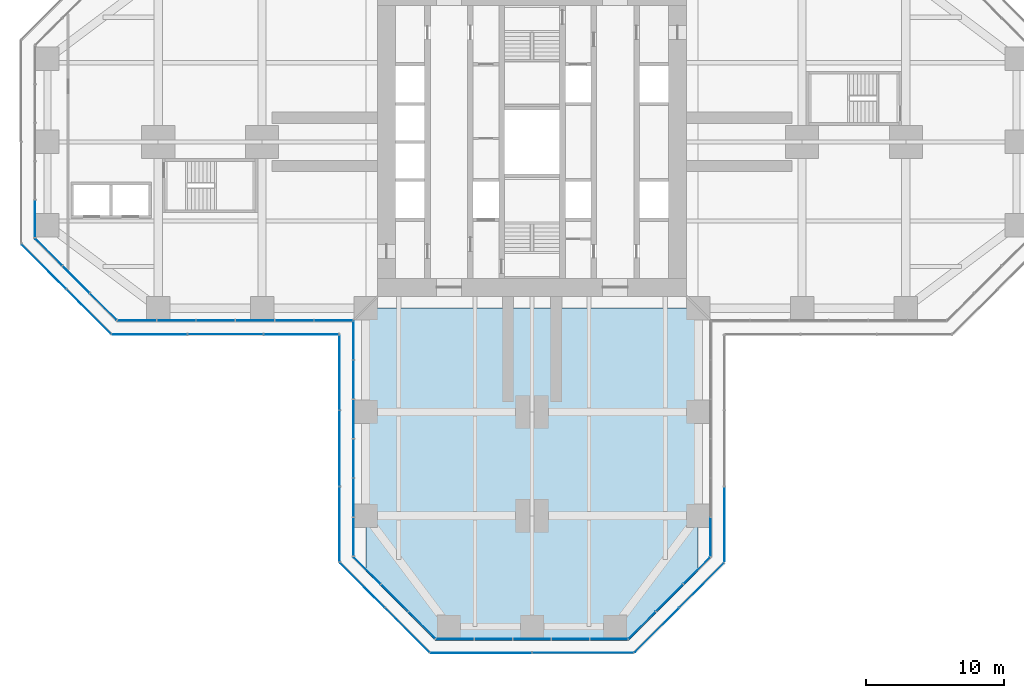
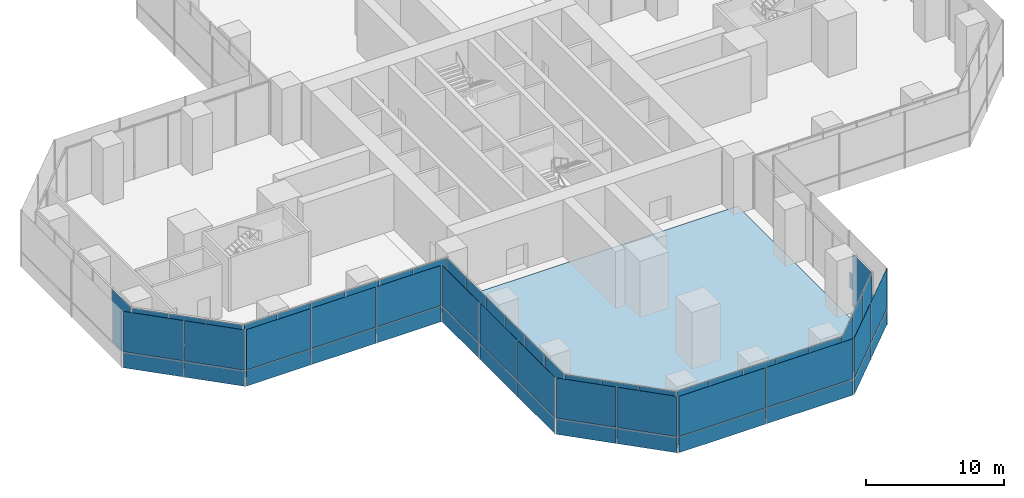
# One storey, part 13 of 23: 57 plates, 1 slab, 15 elements without a shape of their own.
"""IFC4 building model written with IfcOpenShell, lengths in metres."""

from ifc_helpers import new_model, si_unit, direction, frame, origin, origin_2d, place, context, subcontext, project, spatial, polyline, rectangle, outline, extrude, material, layer, layer_set, type_object, element, aggregate, save


model = new_model("IFC4")

# Units and contexts
model_context = context("Model", 3, precision=1e-05, world=origin(), true_north=direction((0.0, 1.0)))
body_context = subcontext(model_context, "Body", "Model", "MODEL_VIEW")
ifc_project = project(units=[si_unit("LENGTHUNIT", "METRE"), si_unit("AREAUNIT", "SQUARE_METRE"), si_unit("VOLUMEUNIT", "CUBIC_METRE"), si_unit("PLANEANGLEUNIT", "RADIAN"), si_unit("MASSUNIT", "GRAM", prefix="KILO")], contexts=[model_context])

# Site, building, storey
site_placement = place(None, origin())
site = spatial("IfcSite", under=ifc_project, at=site_placement, CompositionType="ELEMENT")
building_placement = place(site_placement, origin())
building = spatial("IfcBuilding", under=site, at=building_placement, Name="Mizan Broadcast Tower", CompositionType="ELEMENT")
storey_placement = place(building_placement, frame((0.0, 0.0, 23.0)))
storey = spatial("IfcBuildingStorey", under=building, at=storey_placement, Name="L03", CompositionType="ELEMENT", Elevation=23.0)

# Curtain wall, plates
ifc_material_1 = material(Name="Aluminium framed glazing", Category="aluminium")
curtain_wall_type_1 = type_object("IfcCurtainWallType", Name="OUTER SKIN", PredefinedType="USERDEFINED", material=ifc_material_1)
curtain_wall_1_placement = place(storey_placement, origin())
curtain_wall_1 = element("IfcCurtainWall", 1, at=curtain_wall_1_placement, inside=storey, type_object=curtain_wall_type_1, Name="Outer skin L03 W chamfer", ObjectType="OUTER SKIN", PredefinedType="USERDEFINED")
ifc_material_2 = material(Name="Laminated clear glass", Category="glass")
ifc_layer_1 = layer(ifc_material_2, 0.02001953125)
ifc_layer_set_1 = layer_set([ifc_layer_1], Name="Laminated clear glass")
plate_type_1 = type_object("IfcPlateType", Name="OUTER SKIN CLEAR GLASS", PredefinedType="CURTAIN_PANEL", material=ifc_layer_set_1)
plate_1_placement = place(storey_placement, frame((-35.254150390625, -9.018798828125, 0.0), z_axis=(0.0, 0.0, 1.0), x_axis=(0.707106781187, -0.707106781187, 0.0)))
plate_1 = element("IfcPlate", 2, at=plate_1_placement, type_object=plate_type_1, Name="Outer skin L03 W chamfer panel 1.1", PredefinedType="CURTAIN_PANEL", context=body_context, shape_type="SweptSolid", body=[
    extrude(rectangle(XDim=4.495361328125, YDim=0.02001953125, at=origin_2d()), origin(), (0.0, 0.0, 1.0), 1.3701171875),
])
plate_2_placement = place(storey_placement, frame((-35.254150390625, -9.018798828125, 1.43017578125), z_axis=(0.0, 0.0, 1.0), x_axis=(0.707106781187, -0.707106781187, 0.0)))
plate_2 = element("IfcPlate", 3, at=plate_2_placement, type_object=plate_type_1, Name="Outer skin L03 W chamfer panel 1.2", PredefinedType="CURTAIN_PANEL", context=body_context, shape_type="SweptSolid", body=[
    extrude(rectangle(XDim=4.495361328125, YDim=0.02001953125, at=origin_2d()), origin(), (0.0, 0.0, 1.0), 3.570068359375),
])

curtain_wall_2_placement = place(storey_placement, origin())
curtain_wall_2 = element("IfcCurtainWall", 4, at=curtain_wall_2_placement, inside=storey, type_object=curtain_wall_type_1, Name="Outer skin L03 W side", ObjectType="OUTER SKIN", PredefinedType="USERDEFINED")
plate_3_placement = place(storey_placement, frame((-27.607421875, -13.89990234375, 0.0), z_axis=(0.0, 0.0, 1.0), x_axis=(1.0, 0.0, 0.0)))
plate_3 = element("IfcPlate", 5, at=plate_3_placement, type_object=plate_type_1, Name="Outer skin L03 W side panel 1.1", PredefinedType="CURTAIN_PANEL", context=body_context, shape_type="SweptSolid", body=[
    extrude(rectangle(XDim=5.370849609375, YDim=0.02001953125, at=origin_2d()), origin(), (0.0, 0.0, 1.0), 1.3701171875),
])
plate_4_placement = place(storey_placement, frame((-27.607421875, -13.89990234375, 1.43017578125), z_axis=(0.0, 0.0, 1.0), x_axis=(1.0, 0.0, 0.0)))
plate_4 = element("IfcPlate", 6, at=plate_4_placement, type_object=plate_type_1, Name="Outer skin L03 W side panel 1.2", PredefinedType="CURTAIN_PANEL", context=body_context, shape_type="SweptSolid", body=[
    extrude(rectangle(XDim=5.370849609375, YDim=0.02001953125, at=origin_2d()), origin(), (0.0, 0.0, 1.0), 3.570068359375),
])
plate_5_placement = place(storey_placement, frame((-16.66552734375, -13.89990234375, 0.0), z_axis=(0.0, 0.0, 1.0), x_axis=(1.0, 0.0, 0.0)))
plate_5 = element("IfcPlate", 7, at=plate_5_placement, type_object=plate_type_1, Name="Outer skin L03 W side panel 3.1", PredefinedType="CURTAIN_PANEL", context=body_context, shape_type="SweptSolid", body=[
    extrude(rectangle(XDim=5.370849609375, YDim=0.02001953125, at=origin_2d()), origin(), (0.0, 0.0, 1.0), 1.3701171875),
])
plate_6_placement = place(storey_placement, frame((-16.66552734375, -13.89990234375, 1.43017578125), z_axis=(0.0, 0.0, 1.0), x_axis=(1.0, 0.0, 0.0)))
plate_6 = element("IfcPlate", 8, at=plate_6_placement, type_object=plate_type_1, Name="Outer skin L03 W side panel 3.2", PredefinedType="CURTAIN_PANEL", context=body_context, shape_type="SweptSolid", body=[
    extrude(rectangle(XDim=5.370849609375, YDim=0.02001953125, at=origin_2d()), origin(), (0.0, 0.0, 1.0), 3.570068359375),
])

curtain_wall_3_placement = place(storey_placement, origin())
curtain_wall_3 = element("IfcCurtainWall", 9, at=curtain_wall_3_placement, inside=storey, type_object=curtain_wall_type_1, Name="Outer skin L03 S side", ObjectType="OUTER SKIN", PredefinedType="USERDEFINED")
plate_7_placement = place(storey_placement, frame((-13.89990234375, -16.66552734375, 0.0), z_axis=(0.0, 0.0, 1.0), x_axis=(0.0, -1.0, 0.0)))
plate_7 = element("IfcPlate", 10, at=plate_7_placement, type_object=plate_type_1, Name="Outer skin L03 S side panel 1.1", PredefinedType="CURTAIN_PANEL", context=body_context, shape_type="SweptSolid", body=[
    extrude(rectangle(XDim=5.370849609375, YDim=0.02001953125, at=origin_2d()), origin(), (0.0, 0.0, 1.0), 1.3701171875),
])
plate_8_placement = place(storey_placement, frame((-13.89990234375, -16.66552734375, 1.43017578125), z_axis=(0.0, 0.0, 1.0), x_axis=(0.0, -1.0, 0.0)))
plate_8 = element("IfcPlate", 11, at=plate_8_placement, type_object=plate_type_1, Name="Outer skin L03 S side panel 1.2", PredefinedType="CURTAIN_PANEL", context=body_context, shape_type="SweptSolid", body=[
    extrude(rectangle(XDim=5.370849609375, YDim=0.02001953125, at=origin_2d()), origin(), (0.0, 0.0, 1.0), 3.570068359375),
])
plate_9_placement = place(storey_placement, frame((-13.89990234375, -27.607421875, 0.0), z_axis=(0.0, 0.0, 1.0), x_axis=(0.0, -1.0, 0.0)))
plate_9 = element("IfcPlate", 12, at=plate_9_placement, type_object=plate_type_1, Name="Outer skin L03 S side panel 3.1", PredefinedType="CURTAIN_PANEL", context=body_context, shape_type="SweptSolid", body=[
    extrude(rectangle(XDim=5.370849609375, YDim=0.02001953125, at=origin_2d()), origin(), (0.0, 0.0, 1.0), 1.3701171875),
])
plate_10_placement = place(storey_placement, frame((-13.89990234375, -27.607421875, 1.43017578125), z_axis=(0.0, 0.0, 1.0), x_axis=(0.0, -1.0, 0.0)))
plate_10 = element("IfcPlate", 13, at=plate_10_placement, type_object=plate_type_1, Name="Outer skin L03 S side panel 3.2", PredefinedType="CURTAIN_PANEL", context=body_context, shape_type="SweptSolid", body=[
    extrude(rectangle(XDim=5.370849609375, YDim=0.02001953125, at=origin_2d()), origin(), (0.0, 0.0, 1.0), 3.570068359375),
])

curtain_wall_4_placement = place(storey_placement, origin())
curtain_wall_4 = element("IfcCurtainWall", 14, at=curtain_wall_4_placement, inside=storey, type_object=curtain_wall_type_1, Name="Outer skin L03 S chamfer", ObjectType="OUTER SKIN", PredefinedType="USERDEFINED")
plate_11_placement = place(storey_placement, frame((-12.254150390625, -32.018798828125, 0.0), z_axis=(0.0, 0.0, 1.0), x_axis=(0.707106781187, -0.707106781187, 0.0)))
plate_11 = element("IfcPlate", 15, at=plate_11_placement, type_object=plate_type_1, Name="Outer skin L03 S chamfer panel 1.1", PredefinedType="CURTAIN_PANEL", context=body_context, shape_type="SweptSolid", body=[
    extrude(rectangle(XDim=4.495361328125, YDim=0.02001953125, at=origin_2d()), origin(), (0.0, 0.0, 1.0), 1.3701171875),
])
plate_12_placement = place(storey_placement, frame((-12.254150390625, -32.018798828125, 1.43017578125), z_axis=(0.0, 0.0, 1.0), x_axis=(0.707106781187, -0.707106781187, 0.0)))
plate_12 = element("IfcPlate", 16, at=plate_12_placement, type_object=plate_type_1, Name="Outer skin L03 S chamfer panel 1.2", PredefinedType="CURTAIN_PANEL", context=body_context, shape_type="SweptSolid", body=[
    extrude(rectangle(XDim=4.495361328125, YDim=0.02001953125, at=origin_2d()), origin(), (0.0, 0.0, 1.0), 3.570068359375),
])

curtain_wall_5_placement = place(storey_placement, origin())
curtain_wall_5 = element("IfcCurtainWall", 17, at=curtain_wall_5_placement, inside=storey, type_object=curtain_wall_type_1, Name="Outer skin L03 S end", ObjectType="OUTER SKIN", PredefinedType="USERDEFINED")
plate_13_placement = place(storey_placement, frame((-3.66650390625, -36.89990234375, 0.0), z_axis=(0.0, 0.0, 1.0), x_axis=(1.0, 0.0, 0.0)))
plate_13 = element("IfcPlate", 18, at=plate_13_placement, type_object=plate_type_1, Name="Outer skin L03 S end panel 1.1", PredefinedType="CURTAIN_PANEL", context=body_context, shape_type="SweptSolid", body=[
    extrude(rectangle(XDim=7.252685546875, YDim=0.02001953125, at=origin_2d()), origin(), (0.0, 0.0, 1.0), 1.3701171875),
])
plate_14_placement = place(storey_placement, frame((-3.66650390625, -36.89990234375, 1.43017578125), z_axis=(0.0, 0.0, 1.0), x_axis=(1.0, 0.0, 0.0)))
plate_14 = element("IfcPlate", 19, at=plate_14_placement, type_object=plate_type_1, Name="Outer skin L03 S end panel 1.2", PredefinedType="CURTAIN_PANEL", context=body_context, shape_type="SweptSolid", body=[
    extrude(rectangle(XDim=7.252685546875, YDim=0.02001953125, at=origin_2d()), origin(), (0.0, 0.0, 1.0), 3.570068359375),
])

curtain_wall_6_placement = place(storey_placement, origin())
curtain_wall_6 = element("IfcCurtainWall", 20, at=curtain_wall_6_placement, inside=storey, type_object=curtain_wall_type_1, Name="Outer skin L03 S chamfer", ObjectType="OUTER SKIN", PredefinedType="USERDEFINED")
plate_15_placement = place(storey_placement, frame((9.018798828125, -35.254150390625, 0.0), z_axis=(0.0, 0.0, 1.0), x_axis=(0.707106781187, 0.707106781187, 0.0)))
plate_15 = element("IfcPlate", 21, at=plate_15_placement, type_object=plate_type_1, Name="Outer skin L03 S chamfer panel 1.1", PredefinedType="CURTAIN_PANEL", context=body_context, shape_type="SweptSolid", body=[
    extrude(rectangle(XDim=4.495361328125, YDim=0.02001953125, at=origin_2d()), origin(), (0.0, 0.0, 1.0), 1.3701171875),
])
plate_16_placement = place(storey_placement, frame((9.018798828125, -35.254150390625, 1.43017578125), z_axis=(0.0, 0.0, 1.0), x_axis=(0.707106781187, 0.707106781187, 0.0)))
plate_16 = element("IfcPlate", 22, at=plate_16_placement, type_object=plate_type_1, Name="Outer skin L03 S chamfer panel 1.2", PredefinedType="CURTAIN_PANEL", context=body_context, shape_type="SweptSolid", body=[
    extrude(rectangle(XDim=4.495361328125, YDim=0.02001953125, at=origin_2d()), origin(), (0.0, 0.0, 1.0), 3.570068359375),
])

# Curtain wall, plate
curtain_wall_7_placement = place(storey_placement, origin())
curtain_wall_7 = element("IfcCurtainWall", 23, at=curtain_wall_7_placement, inside=storey, type_object=curtain_wall_type_1, Name="Outer skin L03 S side", ObjectType="OUTER SKIN", PredefinedType="USERDEFINED")
plate_17_placement = place(storey_placement, frame((13.89990234375, -27.607421875, 0.0), z_axis=(0.0, 0.0, 1.0), x_axis=(0.0, 1.0, 0.0)))
plate_17 = element("IfcPlate", 24, at=plate_17_placement, type_object=plate_type_1, Name="Outer skin L03 S side panel 1.1", PredefinedType="CURTAIN_PANEL", context=body_context, shape_type="SweptSolid", body=[
    extrude(rectangle(XDim=5.370849609375, YDim=0.02001953125, at=origin_2d()), origin(), (0.0, 0.0, 1.0), 1.3701171875),
])
aggregate(curtain_wall_7, [plate_17])

# Plate
ifc_material_3 = material(Name="Perforated aluminium, pale anodised", Category="aluminium")
ifc_layer_2 = layer(ifc_material_3, 0.011962890625)
ifc_layer_set_2 = layer_set([ifc_layer_2], Name="Perforated aluminium, pale anodised")
plate_type_2 = type_object("IfcPlateType", Name="OUTER SKIN PERFORATED SCREEN", PredefinedType="USERDEFINED", material=ifc_layer_set_2)
plate_18_placement = place(storey_placement, frame((-32.018798828125, -12.254150390625, 0.0), z_axis=(0.0, 0.0, 1.0), x_axis=(0.707106781187, -0.707106781187, 0.0)))
plate_18 = element("IfcPlate", 25, at=plate_18_placement, type_object=plate_type_2, Name="Outer skin L03 W chamfer panel 2.1", ObjectType="SCREEN", PredefinedType="USERDEFINED", context=body_context, shape_type="SweptSolid", body=[
    extrude(rectangle(XDim=4.495361328125, YDim=0.011962890625, at=origin_2d()), origin(), (0.0, 0.0, 1.0), 1.3701171875),
])

plate_19_placement = place(storey_placement, frame((-32.018798828125, -12.254150390625, 1.43017578125), z_axis=(0.0, 0.0, 1.0), x_axis=(0.707106781187, -0.707106781187, 0.0)))
plate_19 = element("IfcPlate", 26, at=plate_19_placement, type_object=plate_type_2, Name="Outer skin L03 W chamfer panel 2.2", ObjectType="SCREEN", PredefinedType="USERDEFINED", context=body_context, shape_type="SweptSolid", body=[
    extrude(rectangle(XDim=4.495361328125, YDim=0.011962890625, at=origin_2d()), origin(), (0.0, 0.0, 1.0), 3.570068359375),
])

aggregate(curtain_wall_1, [plate_1, plate_2, plate_18, plate_19])

plate_20_placement = place(storey_placement, frame((-22.136474609375, -13.89990234375, 0.0), z_axis=(0.0, 0.0, 1.0), x_axis=(1.0, 0.0, 0.0)))
plate_20 = element("IfcPlate", 27, at=plate_20_placement, type_object=plate_type_2, Name="Outer skin L03 W side panel 2.1", ObjectType="SCREEN", PredefinedType="USERDEFINED", context=body_context, shape_type="SweptSolid", body=[
    extrude(rectangle(XDim=5.410888671875, YDim=0.011962890625, at=origin_2d()), origin(), (0.0, 0.0, 1.0), 1.3701171875),
])

plate_21_placement = place(storey_placement, frame((-22.136474609375, -13.89990234375, 1.43017578125), z_axis=(0.0, 0.0, 1.0), x_axis=(1.0, 0.0, 0.0)))
plate_21 = element("IfcPlate", 28, at=plate_21_placement, type_object=plate_type_2, Name="Outer skin L03 W side panel 2.2", ObjectType="SCREEN", PredefinedType="USERDEFINED", context=body_context, shape_type="SweptSolid", body=[
    extrude(rectangle(XDim=5.410888671875, YDim=0.011962890625, at=origin_2d()), origin(), (0.0, 0.0, 1.0), 3.570068359375),
])

aggregate(curtain_wall_2, [plate_3, plate_4, plate_20, plate_21, plate_5, plate_6])

plate_22_placement = place(storey_placement, frame((-13.89990234375, -22.136474609375, 0.0), z_axis=(0.0, 0.0, 1.0), x_axis=(0.0, -1.0, 0.0)))
plate_22 = element("IfcPlate", 29, at=plate_22_placement, type_object=plate_type_2, Name="Outer skin L03 S side panel 2.1", ObjectType="SCREEN", PredefinedType="USERDEFINED", context=body_context, shape_type="SweptSolid", body=[
    extrude(rectangle(XDim=5.410888671875, YDim=0.011962890625, at=origin_2d()), origin(), (0.0, 0.0, 1.0), 1.3701171875),
])

plate_23_placement = place(storey_placement, frame((-13.89990234375, -22.136474609375, 1.43017578125), z_axis=(0.0, 0.0, 1.0), x_axis=(0.0, -1.0, 0.0)))
plate_23 = element("IfcPlate", 30, at=plate_23_placement, type_object=plate_type_2, Name="Outer skin L03 S side panel 2.2", ObjectType="SCREEN", PredefinedType="USERDEFINED", context=body_context, shape_type="SweptSolid", body=[
    extrude(rectangle(XDim=5.410888671875, YDim=0.011962890625, at=origin_2d()), origin(), (0.0, 0.0, 1.0), 3.570068359375),
])

aggregate(curtain_wall_3, [plate_7, plate_8, plate_22, plate_23, plate_9, plate_10])

plate_24_placement = place(storey_placement, frame((-9.018798828125, -35.254150390625, 0.0), z_axis=(0.0, 0.0, 1.0), x_axis=(0.707106781187, -0.707106781187, 0.0)))
plate_24 = element("IfcPlate", 31, at=plate_24_placement, type_object=plate_type_2, Name="Outer skin L03 S chamfer panel 2.1", ObjectType="SCREEN", PredefinedType="USERDEFINED", context=body_context, shape_type="SweptSolid", body=[
    extrude(rectangle(XDim=4.495361328125, YDim=0.011962890625, at=origin_2d()), origin(), (0.0, 0.0, 1.0), 1.3701171875),
])

plate_25_placement = place(storey_placement, frame((-9.018798828125, -35.254150390625, 1.43017578125), z_axis=(0.0, 0.0, 1.0), x_axis=(0.707106781187, -0.707106781187, 0.0)))
plate_25 = element("IfcPlate", 32, at=plate_25_placement, type_object=plate_type_2, Name="Outer skin L03 S chamfer panel 2.2", ObjectType="SCREEN", PredefinedType="USERDEFINED", context=body_context, shape_type="SweptSolid", body=[
    extrude(rectangle(XDim=4.495361328125, YDim=0.011962890625, at=origin_2d()), origin(), (0.0, 0.0, 1.0), 3.570068359375),
])

aggregate(curtain_wall_4, [plate_11, plate_12, plate_24, plate_25])

plate_26_placement = place(storey_placement, frame((3.66650390625, -36.89990234375, 0.0), z_axis=(0.0, 0.0, 1.0), x_axis=(1.0, 0.0, 0.0)))
plate_26 = element("IfcPlate", 33, at=plate_26_placement, type_object=plate_type_2, Name="Outer skin L03 S end panel 2.1", ObjectType="SCREEN", PredefinedType="USERDEFINED", context=body_context, shape_type="SweptSolid", body=[
    extrude(rectangle(XDim=7.252685546875, YDim=0.011962890625, at=origin_2d()), origin(), (0.0, 0.0, 1.0), 1.3701171875),
])

plate_27_placement = place(storey_placement, frame((3.66650390625, -36.89990234375, 1.43017578125), z_axis=(0.0, 0.0, 1.0), x_axis=(1.0, 0.0, 0.0)))
plate_27 = element("IfcPlate", 34, at=plate_27_placement, type_object=plate_type_2, Name="Outer skin L03 S end panel 2.2", ObjectType="SCREEN", PredefinedType="USERDEFINED", context=body_context, shape_type="SweptSolid", body=[
    extrude(rectangle(XDim=7.252685546875, YDim=0.011962890625, at=origin_2d()), origin(), (0.0, 0.0, 1.0), 3.570068359375),
])

aggregate(curtain_wall_5, [plate_13, plate_14, plate_26, plate_27])

plate_28_placement = place(storey_placement, frame((12.254150390625, -32.018798828125, 0.0), z_axis=(0.0, 0.0, 1.0), x_axis=(0.707106781187, 0.707106781187, 0.0)))
plate_28 = element("IfcPlate", 35, at=plate_28_placement, type_object=plate_type_2, Name="Outer skin L03 S chamfer panel 2.1", ObjectType="SCREEN", PredefinedType="USERDEFINED", context=body_context, shape_type="SweptSolid", body=[
    extrude(rectangle(XDim=4.495361328125, YDim=0.011962890625, at=origin_2d()), origin(), (0.0, 0.0, 1.0), 1.3701171875),
])

plate_29_placement = place(storey_placement, frame((12.254150390625, -32.018798828125, 1.43017578125), z_axis=(0.0, 0.0, 1.0), x_axis=(0.707106781187, 0.707106781187, 0.0)))
plate_29 = element("IfcPlate", 36, at=plate_29_placement, type_object=plate_type_2, Name="Outer skin L03 S chamfer panel 2.2", ObjectType="SCREEN", PredefinedType="USERDEFINED", context=body_context, shape_type="SweptSolid", body=[
    extrude(rectangle(XDim=4.495361328125, YDim=0.011962890625, at=origin_2d()), origin(), (0.0, 0.0, 1.0), 3.570068359375),
])

aggregate(curtain_wall_6, [plate_15, plate_16, plate_28, plate_29])

# Curtain wall, plate
ifc_material_4 = material(Name="Aluminium framed glazing", Category="aluminium")
curtain_wall_type_2 = type_object("IfcCurtainWallType", Name="PODIUM CURTAIN WALL", PredefinedType="USERDEFINED", material=ifc_material_4)
curtain_wall_8_placement = place(storey_placement, origin())
curtain_wall_8 = element("IfcCurtainWall", 37, at=curtain_wall_8_placement, inside=storey, type_object=curtain_wall_type_2, Name="Podium curtain wall L03 W end", ObjectType="PODIUM CURTAIN WALL", PredefinedType="USERDEFINED")
ifc_material_5 = material(Name="Double glazing, clear laminated", Category="glass")
ifc_layer_3 = layer(ifc_material_5, 0.031982421875)
ifc_layer_set_3 = layer_set([ifc_layer_3], Name="Double glazing, clear laminated")
plate_type_3 = type_object("IfcPlateType", Name="PODIUM GLAZING UNIT", PredefinedType="CURTAIN_PANEL", material=ifc_layer_set_3)
plate_30_placement = place(storey_placement, frame((-35.89990234375, -5.5517578125, 0.0), z_axis=(0.0, 0.0, 1.0), x_axis=(0.0, -1.0, 0.0)))
plate_30 = element("IfcPlate", 38, at=plate_30_placement, type_object=plate_type_3, Name="Podium curtain wall L03 W end panel 5.1", PredefinedType="CURTAIN_PANEL", context=body_context, shape_type="SweptSolid", body=[
    extrude(rectangle(XDim=2.693359375, YDim=0.031982421875, at=origin_2d()), origin(), (0.0, 0.0, 1.0), 4.68994140625),
])
aggregate(curtain_wall_8, [plate_30])

# Curtain wall, plates
curtain_wall_9_placement = place(storey_placement, origin())
curtain_wall_9 = element("IfcCurtainWall", 39, at=curtain_wall_9_placement, inside=storey, type_object=curtain_wall_type_2, Name="Podium curtain wall L03 W chamfer", ObjectType="PODIUM CURTAIN WALL", PredefinedType="USERDEFINED")
plate_31_placement = place(storey_placement, frame((-34.899169921875, -7.95947265625, 0.0), z_axis=(0.0, 0.0, 1.0), x_axis=(0.707106781187, -0.707106781187, 0.0)))
plate_31 = element("IfcPlate", 40, at=plate_31_placement, type_object=plate_type_3, Name="Podium curtain wall L03 W chamfer panel 1.1", PredefinedType="CURTAIN_PANEL", context=body_context, shape_type="SweptSolid", body=[
    extrude(rectangle(XDim=2.710693359375, YDim=0.031982421875, at=origin_2d()), origin(), (0.0, 0.0, 1.0), 4.68994140625),
])
plate_32_placement = place(storey_placement, frame((-32.92919921875, -9.92919921875, 0.0), z_axis=(0.0, 0.0, 1.0), x_axis=(0.707106781187, -0.707106781187, 0.0)))
plate_32 = element("IfcPlate", 41, at=plate_32_placement, type_object=plate_type_3, Name="Podium curtain wall L03 W chamfer panel 2.1", PredefinedType="CURTAIN_PANEL", context=body_context, shape_type="SweptSolid", body=[
    extrude(rectangle(XDim=2.74072265625, YDim=0.031982421875, at=origin_2d()), origin(), (0.0, 0.0, 1.0), 4.68994140625),
])
plate_33_placement = place(storey_placement, frame((-30.95947265625, -11.899169921875, 0.0), z_axis=(0.0, 0.0, 1.0), x_axis=(0.707106781187, -0.707106781187, 0.0)))
plate_33 = element("IfcPlate", 42, at=plate_33_placement, type_object=plate_type_3, Name="Podium curtain wall L03 W chamfer panel 3.1", PredefinedType="CURTAIN_PANEL", context=body_context, shape_type="SweptSolid", body=[
    extrude(rectangle(XDim=2.710693359375, YDim=0.031982421875, at=origin_2d()), origin(), (0.0, 0.0, 1.0), 4.68994140625),
])
aggregate(curtain_wall_9, [plate_31, plate_32, plate_33])

curtain_wall_10_placement = place(storey_placement, origin())
curtain_wall_10 = element("IfcCurtainWall", 43, at=curtain_wall_10_placement, inside=storey, type_object=curtain_wall_type_2, Name="Podium curtain wall L03 W side", ObjectType="PODIUM CURTAIN WALL", PredefinedType="USERDEFINED")
plate_34_placement = place(storey_placement, frame((-28.52197265625, -12.89990234375, 0.0), z_axis=(0.0, 0.0, 1.0), x_axis=(1.0, 0.0, 0.0)))
plate_34 = element("IfcPlate", 44, at=plate_34_placement, type_object=plate_type_3, Name="Podium curtain wall L03 W side panel 1.1", PredefinedType="CURTAIN_PANEL", context=body_context, shape_type="SweptSolid", body=[
    extrude(rectangle(XDim=2.753173828125, YDim=0.031982421875, at=origin_2d()), origin(), (0.0, 0.0, 1.0), 4.68994140625),
])
plate_35_placement = place(storey_placement, frame((-25.69384765625, -12.89990234375, 0.0), z_axis=(0.0, 0.0, 1.0), x_axis=(1.0, 0.0, 0.0)))
plate_35 = element("IfcPlate", 45, at=plate_35_placement, type_object=plate_type_3, Name="Podium curtain wall L03 W side panel 2.1", PredefinedType="CURTAIN_PANEL", context=body_context, shape_type="SweptSolid", body=[
    extrude(rectangle(XDim=2.783203125, YDim=0.031982421875, at=origin_2d()), origin(), (0.0, 0.0, 1.0), 4.68994140625),
])
plate_36_placement = place(storey_placement, frame((-22.850830078125, -12.89990234375, 0.0), z_axis=(0.0, 0.0, 1.0), x_axis=(1.0, 0.0, 0.0)))
plate_36 = element("IfcPlate", 46, at=plate_36_placement, type_object=plate_type_3, Name="Podium curtain wall L03 W side panel 3.1", PredefinedType="CURTAIN_PANEL", context=body_context, shape_type="SweptSolid", body=[
    extrude(rectangle(XDim=2.783203125, YDim=0.031982421875, at=origin_2d()), origin(), (0.0, 0.0, 1.0), 4.68994140625),
])
plate_37_placement = place(storey_placement, frame((-20.0078125, -12.89990234375, 0.0), z_axis=(0.0, 0.0, 1.0), x_axis=(1.0, 0.0, 0.0)))
plate_37 = element("IfcPlate", 47, at=plate_37_placement, type_object=plate_type_3, Name="Podium curtain wall L03 W side panel 4.1", PredefinedType="CURTAIN_PANEL", context=body_context, shape_type="SweptSolid", body=[
    extrude(rectangle(XDim=2.783203125, YDim=0.031982421875, at=origin_2d()), origin(), (0.0, 0.0, 1.0), 4.68994140625),
])
plate_38_placement = place(storey_placement, frame((-17.16455078125, -12.89990234375, 0.0), z_axis=(0.0, 0.0, 1.0), x_axis=(1.0, 0.0, 0.0)))
plate_38 = element("IfcPlate", 48, at=plate_38_placement, type_object=plate_type_3, Name="Podium curtain wall L03 W side panel 5.1", PredefinedType="CURTAIN_PANEL", context=body_context, shape_type="SweptSolid", body=[
    extrude(rectangle(XDim=2.783203125, YDim=0.031982421875, at=origin_2d()), origin(), (0.0, 0.0, 1.0), 4.68994140625),
])
plate_39_placement = place(storey_placement, frame((-14.336669921875, -12.89990234375, 0.0), z_axis=(0.0, 0.0, 1.0), x_axis=(1.0, 0.0, 0.0)))
plate_39 = element("IfcPlate", 49, at=plate_39_placement, type_object=plate_type_3, Name="Podium curtain wall L03 W side panel 6.1", PredefinedType="CURTAIN_PANEL", context=body_context, shape_type="SweptSolid", body=[
    extrude(rectangle(XDim=2.753173828125, YDim=0.031982421875, at=origin_2d()), origin(), (0.0, 0.0, 1.0), 4.68994140625),
])
aggregate(curtain_wall_10, [plate_34, plate_35, plate_36, plate_37, plate_38, plate_39])

curtain_wall_11_placement = place(storey_placement, origin())
curtain_wall_11 = element("IfcCurtainWall", 50, at=curtain_wall_11_placement, inside=storey, type_object=curtain_wall_type_2, Name="Podium curtain wall L03 S side", ObjectType="PODIUM CURTAIN WALL", PredefinedType="USERDEFINED")
plate_40_placement = place(storey_placement, frame((-12.89990234375, -14.336669921875, 0.0), z_axis=(0.0, 0.0, 1.0), x_axis=(0.0, -1.0, 0.0)))
plate_40 = element("IfcPlate", 51, at=plate_40_placement, type_object=plate_type_3, Name="Podium curtain wall L03 S side panel 1.1", PredefinedType="CURTAIN_PANEL", context=body_context, shape_type="SweptSolid", body=[
    extrude(rectangle(XDim=2.753173828125, YDim=0.031982421875, at=origin_2d()), origin(), (0.0, 0.0, 1.0), 4.68994140625),
])
plate_41_placement = place(storey_placement, frame((-12.89990234375, -17.16455078125, 0.0), z_axis=(0.0, 0.0, 1.0), x_axis=(0.0, -1.0, 0.0)))
plate_41 = element("IfcPlate", 52, at=plate_41_placement, type_object=plate_type_3, Name="Podium curtain wall L03 S side panel 2.1", PredefinedType="CURTAIN_PANEL", context=body_context, shape_type="SweptSolid", body=[
    extrude(rectangle(XDim=2.783203125, YDim=0.031982421875, at=origin_2d()), origin(), (0.0, 0.0, 1.0), 4.68994140625),
])
plate_42_placement = place(storey_placement, frame((-12.89990234375, -20.0078125, 0.0), z_axis=(0.0, 0.0, 1.0), x_axis=(0.0, -1.0, 0.0)))
plate_42 = element("IfcPlate", 53, at=plate_42_placement, type_object=plate_type_3, Name="Podium curtain wall L03 S side panel 3.1", PredefinedType="CURTAIN_PANEL", context=body_context, shape_type="SweptSolid", body=[
    extrude(rectangle(XDim=2.783203125, YDim=0.031982421875, at=origin_2d()), origin(), (0.0, 0.0, 1.0), 4.68994140625),
])
plate_43_placement = place(storey_placement, frame((-12.89990234375, -22.850830078125, 0.0), z_axis=(0.0, 0.0, 1.0), x_axis=(0.0, -1.0, 0.0)))
plate_43 = element("IfcPlate", 54, at=plate_43_placement, type_object=plate_type_3, Name="Podium curtain wall L03 S side panel 4.1", PredefinedType="CURTAIN_PANEL", context=body_context, shape_type="SweptSolid", body=[
    extrude(rectangle(XDim=2.783203125, YDim=0.031982421875, at=origin_2d()), origin(), (0.0, 0.0, 1.0), 4.68994140625),
])
plate_44_placement = place(storey_placement, frame((-12.89990234375, -25.69384765625, 0.0), z_axis=(0.0, 0.0, 1.0), x_axis=(0.0, -1.0, 0.0)))
plate_44 = element("IfcPlate", 55, at=plate_44_placement, type_object=plate_type_3, Name="Podium curtain wall L03 S side panel 5.1", PredefinedType="CURTAIN_PANEL", context=body_context, shape_type="SweptSolid", body=[
    extrude(rectangle(XDim=2.783203125, YDim=0.031982421875, at=origin_2d()), origin(), (0.0, 0.0, 1.0), 4.68994140625),
])
plate_45_placement = place(storey_placement, frame((-12.89990234375, -28.52197265625, 0.0), z_axis=(0.0, 0.0, 1.0), x_axis=(0.0, -1.0, 0.0)))
plate_45 = element("IfcPlate", 56, at=plate_45_placement, type_object=plate_type_3, Name="Podium curtain wall L03 S side panel 6.1", PredefinedType="CURTAIN_PANEL", context=body_context, shape_type="SweptSolid", body=[
    extrude(rectangle(XDim=2.753173828125, YDim=0.031982421875, at=origin_2d()), origin(), (0.0, 0.0, 1.0), 4.68994140625),
])
aggregate(curtain_wall_11, [plate_40, plate_41, plate_42, plate_43, plate_44, plate_45])

curtain_wall_12_placement = place(storey_placement, origin())
curtain_wall_12 = element("IfcCurtainWall", 57, at=curtain_wall_12_placement, inside=storey, type_object=curtain_wall_type_2, Name="Podium curtain wall L03 S chamfer", ObjectType="PODIUM CURTAIN WALL", PredefinedType="USERDEFINED")
plate_46_placement = place(storey_placement, frame((-11.899169921875, -30.95947265625, 0.0), z_axis=(0.0, 0.0, 1.0), x_axis=(0.707106781187, -0.707106781187, 0.0)))
plate_46 = element("IfcPlate", 58, at=plate_46_placement, type_object=plate_type_3, Name="Podium curtain wall L03 S chamfer panel 1.1", PredefinedType="CURTAIN_PANEL", context=body_context, shape_type="SweptSolid", body=[
    extrude(rectangle(XDim=2.710693359375, YDim=0.031982421875, at=origin_2d()), origin(), (0.0, 0.0, 1.0), 4.68994140625),
])
plate_47_placement = place(storey_placement, frame((-9.92919921875, -32.92919921875, 0.0), z_axis=(0.0, 0.0, 1.0), x_axis=(0.707106781187, -0.707106781187, 0.0)))
plate_47 = element("IfcPlate", 59, at=plate_47_placement, type_object=plate_type_3, Name="Podium curtain wall L03 S chamfer panel 2.1", PredefinedType="CURTAIN_PANEL", context=body_context, shape_type="SweptSolid", body=[
    extrude(rectangle(XDim=2.74072265625, YDim=0.031982421875, at=origin_2d()), origin(), (0.0, 0.0, 1.0), 4.68994140625),
])
plate_48_placement = place(storey_placement, frame((-7.95947265625, -34.899169921875, 0.0), z_axis=(0.0, 0.0, 1.0), x_axis=(0.707106781187, -0.707106781187, 0.0)))
plate_48 = element("IfcPlate", 60, at=plate_48_placement, type_object=plate_type_3, Name="Podium curtain wall L03 S chamfer panel 3.1", PredefinedType="CURTAIN_PANEL", context=body_context, shape_type="SweptSolid", body=[
    extrude(rectangle(XDim=2.710693359375, YDim=0.031982421875, at=origin_2d()), origin(), (0.0, 0.0, 1.0), 4.68994140625),
])
aggregate(curtain_wall_12, [plate_46, plate_47, plate_48])

curtain_wall_13_placement = place(storey_placement, origin())
curtain_wall_13 = element("IfcCurtainWall", 61, at=curtain_wall_13_placement, inside=storey, type_object=curtain_wall_type_2, Name="Podium curtain wall L03 S end", ObjectType="PODIUM CURTAIN WALL", PredefinedType="USERDEFINED")
plate_49_placement = place(storey_placement, frame((-5.5517578125, -35.89990234375, 0.0), z_axis=(0.0, 0.0, 1.0), x_axis=(1.0, 0.0, 0.0)))
plate_49 = element("IfcPlate", 62, at=plate_49_placement, type_object=plate_type_3, Name="Podium curtain wall L03 S end panel 1.1", PredefinedType="CURTAIN_PANEL", context=body_context, shape_type="SweptSolid", body=[
    extrude(rectangle(XDim=2.693359375, YDim=0.031982421875, at=origin_2d()), origin(), (0.0, 0.0, 1.0), 4.68994140625),
])
plate_50_placement = place(storey_placement, frame((-2.783447265625, -35.89990234375, 0.0), z_axis=(0.0, 0.0, 1.0), x_axis=(1.0, 0.0, 0.0)))
plate_50 = element("IfcPlate", 63, at=plate_50_placement, type_object=plate_type_3, Name="Podium curtain wall L03 S end panel 2.1", PredefinedType="CURTAIN_PANEL", context=body_context, shape_type="SweptSolid", body=[
    extrude(rectangle(XDim=2.723388671875, YDim=0.031982421875, at=origin_2d()), origin(), (0.0, 0.0, 1.0), 4.68994140625),
])
plate_51_placement = place(storey_placement, frame((0.0, -35.89990234375, 0.0), z_axis=(0.0, 0.0, 1.0), x_axis=(1.0, 0.0, 0.0)))
plate_51 = element("IfcPlate", 64, at=plate_51_placement, type_object=plate_type_3, Name="Podium curtain wall L03 S end panel 3.1", PredefinedType="CURTAIN_PANEL", context=body_context, shape_type="SweptSolid", body=[
    extrude(rectangle(XDim=2.723388671875, YDim=0.031982421875, at=origin_2d()), origin(), (0.0, 0.0, 1.0), 4.68994140625),
])
plate_52_placement = place(storey_placement, frame((2.783447265625, -35.89990234375, 0.0), z_axis=(0.0, 0.0, 1.0), x_axis=(1.0, 0.0, 0.0)))
plate_52 = element("IfcPlate", 65, at=plate_52_placement, type_object=plate_type_3, Name="Podium curtain wall L03 S end panel 4.1", PredefinedType="CURTAIN_PANEL", context=body_context, shape_type="SweptSolid", body=[
    extrude(rectangle(XDim=2.723388671875, YDim=0.031982421875, at=origin_2d()), origin(), (0.0, 0.0, 1.0), 4.68994140625),
])
plate_53_placement = place(storey_placement, frame((5.5517578125, -35.89990234375, 0.0), z_axis=(0.0, 0.0, 1.0), x_axis=(1.0, 0.0, 0.0)))
plate_53 = element("IfcPlate", 66, at=plate_53_placement, type_object=plate_type_3, Name="Podium curtain wall L03 S end panel 5.1", PredefinedType="CURTAIN_PANEL", context=body_context, shape_type="SweptSolid", body=[
    extrude(rectangle(XDim=2.693359375, YDim=0.031982421875, at=origin_2d()), origin(), (0.0, 0.0, 1.0), 4.68994140625),
])
aggregate(curtain_wall_13, [plate_49, plate_50, plate_51, plate_52, plate_53])

curtain_wall_14_placement = place(storey_placement, origin())
curtain_wall_14 = element("IfcCurtainWall", 67, at=curtain_wall_14_placement, inside=storey, type_object=curtain_wall_type_2, Name="Podium curtain wall L03 S chamfer", ObjectType="PODIUM CURTAIN WALL", PredefinedType="USERDEFINED")
plate_54_placement = place(storey_placement, frame((7.95947265625, -34.899169921875, 0.0), z_axis=(0.0, 0.0, 1.0), x_axis=(0.707106781187, 0.707106781187, 0.0)))
plate_54 = element("IfcPlate", 68, at=plate_54_placement, type_object=plate_type_3, Name="Podium curtain wall L03 S chamfer panel 1.1", PredefinedType="CURTAIN_PANEL", context=body_context, shape_type="SweptSolid", body=[
    extrude(rectangle(XDim=2.710693359375, YDim=0.031982421875, at=origin_2d()), origin(), (0.0, 0.0, 1.0), 4.68994140625),
])
plate_55_placement = place(storey_placement, frame((9.92919921875, -32.92919921875, 0.0), z_axis=(0.0, 0.0, 1.0), x_axis=(0.707106781187, 0.707106781187, 0.0)))
plate_55 = element("IfcPlate", 69, at=plate_55_placement, type_object=plate_type_3, Name="Podium curtain wall L03 S chamfer panel 2.1", PredefinedType="CURTAIN_PANEL", context=body_context, shape_type="SweptSolid", body=[
    extrude(rectangle(XDim=2.74072265625, YDim=0.031982421875, at=origin_2d()), origin(), (0.0, 0.0, 1.0), 4.68994140625),
])
plate_56_placement = place(storey_placement, frame((11.899169921875, -30.95947265625, 0.0), z_axis=(0.0, 0.0, 1.0), x_axis=(0.707106781187, 0.707106781187, 0.0)))
plate_56 = element("IfcPlate", 70, at=plate_56_placement, type_object=plate_type_3, Name="Podium curtain wall L03 S chamfer panel 3.1", PredefinedType="CURTAIN_PANEL", context=body_context, shape_type="SweptSolid", body=[
    extrude(rectangle(XDim=2.710693359375, YDim=0.031982421875, at=origin_2d()), origin(), (0.0, 0.0, 1.0), 4.68994140625),
])
aggregate(curtain_wall_14, [plate_54, plate_55, plate_56])

# Curtain wall, plate
curtain_wall_15_placement = place(storey_placement, origin())
curtain_wall_15 = element("IfcCurtainWall", 71, at=curtain_wall_15_placement, inside=storey, type_object=curtain_wall_type_2, Name="Podium curtain wall L03 S side", ObjectType="PODIUM CURTAIN WALL", PredefinedType="USERDEFINED")
plate_57_placement = place(storey_placement, frame((12.89990234375, -28.52197265625, 0.0), z_axis=(0.0, 0.0, 1.0), x_axis=(0.0, 1.0, 0.0)))
plate_57 = element("IfcPlate", 72, at=plate_57_placement, type_object=plate_type_3, Name="Podium curtain wall L03 S side panel 1.1", PredefinedType="CURTAIN_PANEL", context=body_context, shape_type="SweptSolid", body=[
    extrude(rectangle(XDim=2.753173828125, YDim=0.031982421875, at=origin_2d()), origin(), (0.0, 0.0, 1.0), 4.68994140625),
])
aggregate(curtain_wall_15, [plate_57])

# Slab
ifc_material_6 = material(Name="Concrete C40/50", Category="concrete")
ifc_layer_4 = layer(ifc_material_6, 0.25)
ifc_layer_set_4 = layer_set([ifc_layer_4], Name="Concrete C40/50")
slab_type = type_object("IfcSlabType", Name="RC FLAT SLAB 250", PredefinedType="FLOOR", material=ifc_layer_set_4)
slab_placement = place(storey_placement, frame((0.0, 0.0, -0.25)))
element("IfcSlab", 73, at=slab_placement, inside=storey, type_object=slab_type, Name="Floor slab L03 south arm", PredefinedType="FLOOR", context=body_context, shape_type="SweptSolid", body=[
    extrude(outline(polyline([(7.0, -36.0), (12.0, -31.0), (12.0, -12.0), (-12.0, -12.0), (-12.0, -31.0), (-7.0, -36.0), (7.0, -36.0)])), origin(), (0.0, 0.0, 1.0), 0.25),
])

save(model, "model.ifc")
